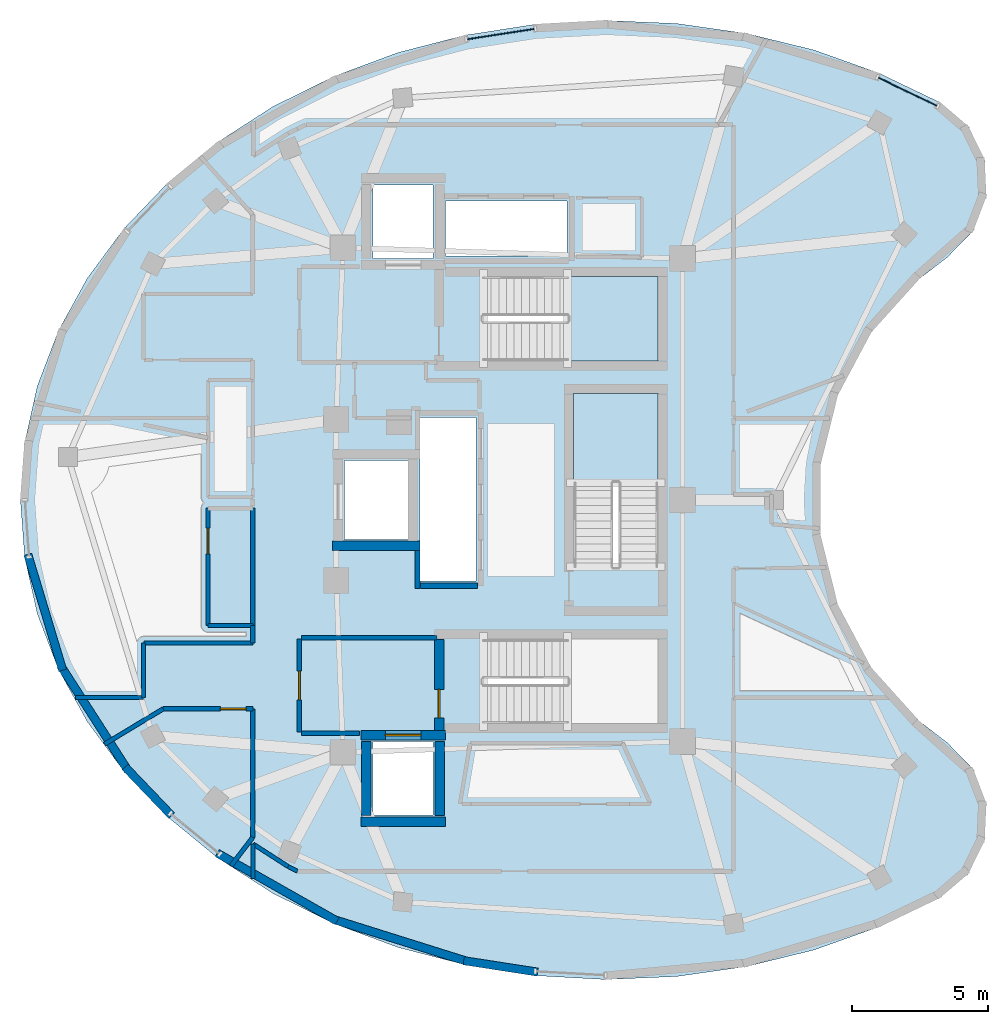
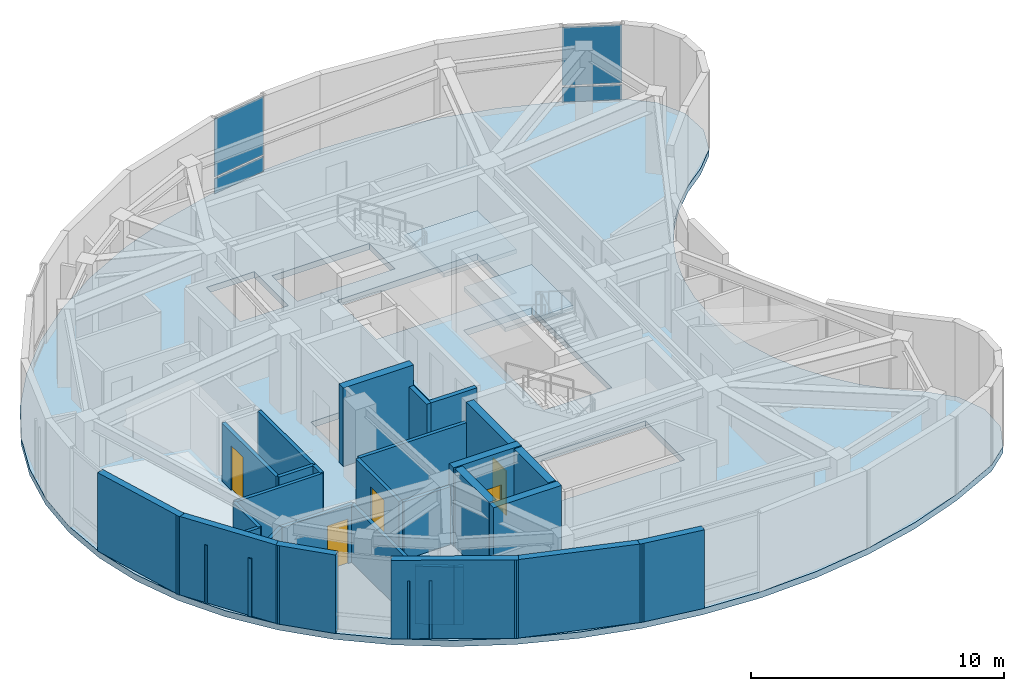
# One storey, part 3 of 8: 31 walls, 5 doors, 4 plates, 3 slabs, 5 openings, 4 elements without a shape of their own.
"""IFC4 building model written with IfcOpenShell, lengths in metres."""

from ifc_helpers import new_model, si_unit, direction, frame, frame_2d, origin, origin_2d, place, context, subcontext, project, spatial, polyline, rectangle, outline, extrude, material, layer, layer_set, type_object, element, fill, aggregate, save


model = new_model("IFC4")

# Units and contexts
model_context = context("Model", 3, precision=1e-05, world=origin(), true_north=direction((0.0, 1.0)))
body_context = subcontext(model_context, "Body", "Model", "MODEL_VIEW")
ifc_project = project(units=[si_unit("LENGTHUNIT", "METRE"), si_unit("AREAUNIT", "SQUARE_METRE"), si_unit("VOLUMEUNIT", "CUBIC_METRE"), si_unit("PLANEANGLEUNIT", "RADIAN"), si_unit("MASSUNIT", "GRAM", prefix="KILO")], contexts=[model_context])

# Site, building, storey
site_placement = place(None, origin())
site = spatial("IfcSite", under=ifc_project, at=site_placement, CompositionType="ELEMENT")
building_placement = place(site_placement, origin())
building = spatial("IfcBuilding", under=site, at=building_placement, Name="Korentha Bioscience Tower", CompositionType="ELEMENT")
storey_placement = place(building_placement, frame((0.0, 0.0, 318.60009765625)))
storey = spatial("IfcBuildingStorey", under=building, at=storey_placement, Name="L73", CompositionType="ELEMENT", Elevation=318.60009765625)

# Curtain wall, plates
ifc_material_1 = material(Name="Structural Silicone Glazed Aluminium", Category="aluminium")
ifc_layer_1 = layer(ifc_material_1, 0.219970703125, Name="Structural Silicone Glazed Aluminium")
ifc_layer_set_1 = layer_set([ifc_layer_1], Name="Structural Silicone Glazed Aluminium (CW-O1)")
curtain_wall_type = type_object("IfcCurtainWallType", Name="Sky Observatory Acoustic Curtain Wall CW-O1", PredefinedType="USERDEFINED", material=ifc_layer_set_1)
curtain_wall_1_placement = place(storey_placement, origin())
curtain_wall_1 = element("IfcCurtainWall", 1, at=curtain_wall_1_placement, inside=storey, type_object=curtain_wall_type, Name="L73 Curtain Wall 01", ObjectType="UNITISED", PredefinedType="USERDEFINED")
ifc_material_2 = material(Name="Triple-Glazed Low-E Insulated Glass", Category="glass")
ifc_layer_2 = layer(ifc_material_2, 0.0439453125, Name="Triple-Glazed Low-E Insulated Glass")
ifc_layer_set_2 = layer_set([ifc_layer_2], Name="Triple-Glazed Low-E Insulated Glass (GL-44)")
plate_type = type_object("IfcPlateType", Name="Glazed Panel 44mm", PredefinedType="CURTAIN_PANEL", material=ifc_layer_set_2)
plate_1_placement = place(storey_placement, frame((45.800048828125, 41.968994140625, 0.08984375), z_axis=(0.0, 0.0, 1.0), x_axis=(-0.901523666525, 0.432729798714, 0.0)))
plate_1 = element("IfcPlate", 2, at=plate_1_placement, type_object=plate_type, Name="CW-L73-01 Bay 1 Glazed Panel 1", PredefinedType="CURTAIN_PANEL", context=body_context, shape_type="SweptSolid", body=[
    extrude(rectangle(XDim=2.382080078125, YDim=0.0439453125, at=origin_2d()), origin(), (0.0, 0.0, 1.0), 0.715087890625),
])
plate_2_placement = place(storey_placement, frame((45.800048828125, 41.968994140625, 0.89501953125), z_axis=(0.0, 0.0, 1.0), x_axis=(-0.901523666525, 0.432729798714, 0.0)))
plate_2 = element("IfcPlate", 3, at=plate_2_placement, type_object=plate_type, Name="CW-L73-01 Bay 1 Glazed Panel 2", PredefinedType="CURTAIN_PANEL", context=body_context, shape_type="SweptSolid", body=[
    extrude(rectangle(XDim=2.382080078125, YDim=0.0439453125, at=origin_2d()), origin(), (0.0, 0.0, 1.0), 2.804931640625),
])
aggregate(curtain_wall_1, [plate_1, plate_2])

curtain_wall_2_placement = place(storey_placement, origin())
curtain_wall_2 = element("IfcCurtainWall", 4, at=curtain_wall_2_placement, inside=storey, type_object=curtain_wall_type, Name="L73 Curtain Wall 07", ObjectType="UNITISED", PredefinedType="USERDEFINED")
plate_3_placement = place(storey_placement, frame((30.884033203125, 44.08251953125, 0.08984375), z_axis=(0.0, 0.0, 1.0), x_axis=(-0.988233672414, -0.152951654805, 0.0)))
plate_3 = element("IfcPlate", 5, at=plate_3_placement, type_object=plate_type, Name="CW-L73-07 Bay 1 Glazed Panel 1", PredefinedType="CURTAIN_PANEL", context=body_context, shape_type="SweptSolid", body=[
    extrude(rectangle(XDim=2.48291015625, YDim=0.0439453125, at=origin_2d()), origin(), (0.0, 0.0, 1.0), 0.715087890625),
])
plate_4_placement = place(storey_placement, frame((30.884033203125, 44.08251953125, 0.89501953125), z_axis=(0.0, 0.0, 1.0), x_axis=(-0.988233672414, -0.152951654805, 0.0)))
plate_4 = element("IfcPlate", 6, at=plate_4_placement, type_object=plate_type, Name="CW-L73-07 Bay 1 Glazed Panel 2", PredefinedType="CURTAIN_PANEL", context=body_context, shape_type="SweptSolid", body=[
    extrude(rectangle(XDim=2.48291015625, YDim=0.0439453125, at=origin_2d()), origin(), (0.0, 0.0, 1.0), 2.804931640625),
])
aggregate(curtain_wall_2, [plate_3, plate_4])

# Slab
ifc_material_3 = material(Name="Concrete C50", Category="concrete")
ifc_layer_3 = layer(ifc_material_3, 0.300048828125, Name="Concrete C50")
ifc_layer_set_3 = layer_set([ifc_layer_3], Name="Concrete C50 (SL-L300)")
slab_type_1 = type_object("IfcSlabType", Name="Laboratory Vibration-Controlled Slab 300", PredefinedType="FLOOR", material=ifc_layer_set_3)
slab_1_placement = place(storey_placement, frame((0.0, 0.0, -0.300048828125)))
element("IfcSlab", 7, at=slab_1_placement, inside=storey, type_object=slab_type_1, Name="L73 Tower Structural Floor Slab", PredefinedType="FLOOR", context=body_context, shape_type="SweptSolid", body=[
    extrude(outline(polyline([(46.988037109375, 41.576171875), (44.75048828125, 42.650146484375), (42.37060546875, 43.498291015625), (39.8828125, 44.108154296875), (37.322998046875, 44.470947265625), (34.728271484375, 44.58154296875), (32.135986328125, 44.438232421875), (29.583251953125, 44.043212890625), (27.107421875, 43.402099609375), (24.744140625, 42.52392578125), (22.52734375, 41.421875), (20.4892578125, 40.111572265625), (18.658935546875, 38.61181640625), (17.063232421875, 36.944580078125), (15.72509765625, 35.133544921875), (14.66357421875, 33.205078125), (13.894287109375, 31.187255859375), (13.427978515625, 29.10888671875), (13.27197265625, 27.0), (13.427978515625, 24.89111328125), (13.894287109375, 22.812744140625), (14.66357421875, 20.794921875), (15.72509765625, 18.866455078125), (17.063232421875, 17.055419921875), (18.658935546875, 15.38818359375), (20.4892578125, 13.888427734375), (22.52734375, 12.578125), (24.744140625, 11.47607421875), (27.107421875, 10.597900390625), (29.583251953125, 9.956787109375), (32.135986328125, 9.561767578125), (34.728271484375, 9.41845703125), (37.322998046875, 9.529052734375), (39.8828125, 9.891845703125), (42.37060546875, 10.501708984375), (44.75048828125, 11.349853515625), (46.988037109375, 12.423828125), (48.018310546875, 13.302734375), (48.61376953125, 14.519287109375), (48.67578125, 15.8720703125), (48.1943359375, 17.137939453125), (47.2490234375, 18.107666015625), (46.2099609375, 18.90478515625), (45.27587890625, 19.822998046875), (44.460693359375, 20.847900390625), (43.7763671875, 21.96435546875), (43.2333984375, 23.156005859375), (42.839599609375, 24.405029296875), (42.600830078125, 25.69287109375), (42.52099609375, 27.0), (42.600830078125, 28.30712890625), (42.839599609375, 29.594970703125), (43.2333984375, 30.843994140625), (43.7763671875, 32.03564453125), (44.460693359375, 33.152099609375), (45.27587890625, 34.177001953125), (46.2099609375, 35.09521484375), (47.2490234375, 35.892333984375), (48.1943359375, 36.862060546875), (48.67578125, 38.1279296875), (48.61376953125, 39.480712890625), (48.018310546875, 40.697265625), (46.988037109375, 41.576171875)]), holes=[polyline([(30.25, 32.10009765625), (36.64990234375, 32.10009765625), (36.64990234375, 35.199951171875), (30.25, 35.199951171875), (30.25, 32.10009765625)]), polyline([(30.25, 18.800048828125), (36.64990234375, 18.800048828125), (36.64990234375, 21.89990234375), (30.25, 21.89990234375), (30.25, 18.800048828125)]), polyline([(36.64990234375, 24.550048828125), (36.64990234375, 30.89990234375), (33.550048828125, 30.89990234375), (33.550048828125, 24.550048828125), (36.64990234375, 24.550048828125)]), polyline([(27.929931640625, 24.030029296875), (29.969970703125, 24.030029296875), (29.969970703125, 30.02001953125), (27.929931640625, 30.02001953125), (27.929931640625, 24.030029296875)]), polyline([(28.860107421875, 35.93994140625), (33.31005859375, 35.93994140625), (33.31005859375, 37.9599609375), (28.860107421875, 37.9599609375), (28.860107421875, 35.93994140625)]), polyline([(26.199951171875, 15.449951171875), (28.39990234375, 15.449951171875), (28.39990234375, 18.14990234375), (26.199951171875, 18.14990234375), (26.199951171875, 15.449951171875)]), polyline([(26.199951171875, 35.85009765625), (28.39990234375, 35.85009765625), (28.39990234375, 38.550048828125), (26.199951171875, 38.550048828125), (26.199951171875, 35.85009765625)]), polyline([(25.14990234375, 25.550048828125), (27.550048828125, 25.550048828125), (27.550048828125, 28.449951171875), (25.14990234375, 28.449951171875), (25.14990234375, 25.550048828125)])]), origin(), (0.0, 0.0, 1.0), 0.300048828125),
])

# Stair, slab
ifc_material_4 = material(Name="Precast Concrete C50", Category="concrete")
stair_type = type_object("IfcStairType", Name="Core Exit Dog-Leg Stair 1450", PredefinedType="HALF_TURN_STAIR", material=ifc_material_4)
stair_1_placement = place(storey_placement, origin())
stair_1 = element("IfcStair", 8, at=stair_1_placement, inside=storey, type_object=stair_type, Name="L73 Tower North Pressurized Exit Stair ST-1", PredefinedType="HALF_TURN_STAIR")
ifc_layer_4 = layer(ifc_material_3, 0.199951171875, Name="Concrete C50")
ifc_layer_set_4 = layer_set([ifc_layer_4], Name="Concrete C50 (SL-LND)")
slab_type_2 = type_object("IfcSlabType", Name="Landing Slab 200", PredefinedType="LANDING", material=ifc_layer_set_4)
slab_2_placement = place(storey_placement, frame((0.0, 0.0, 1.89990234375)))
slab_2 = element("IfcSlab", 9, at=slab_2_placement, type_object=slab_type_2, Name="ST-1 landing 1", PredefinedType="LANDING", context=body_context, shape_type="SweptSolid", body=[
    extrude(outline(polyline([(33.330078125, 32.10009765625), (36.64990234375, 32.10009765625), (36.64990234375, 35.199951171875), (33.330078125, 35.199951171875), (33.330078125, 32.10009765625)])), origin(), (0.0, 0.0, 1.0), 0.199951171875),
])
aggregate(stair_1, [slab_2])

stair_2_placement = place(storey_placement, origin())
stair_2 = element("IfcStair", 10, at=stair_2_placement, inside=storey, type_object=stair_type, Name="L73 Tower Central Pressurized Exit Stair ST-3", PredefinedType="HALF_TURN_STAIR")
slab_3_placement = place(storey_placement, frame((0.0, 0.0, 1.89990234375)))
slab_3 = element("IfcSlab", 11, at=slab_3_placement, type_object=slab_type_2, Name="ST-3 landing 1", PredefinedType="LANDING", context=body_context, shape_type="SweptSolid", body=[
    extrude(outline(polyline([(36.64990234375, 27.6298828125), (36.64990234375, 30.89990234375), (33.550048828125, 30.89990234375), (33.550048828125, 27.6298828125), (36.64990234375, 27.6298828125)])), origin(), (0.0, 0.0, 1.0), 0.199951171875),
])
aggregate(stair_2, [slab_3])

# Walls
ifc_material_5 = material(Name="Double-Stud Acoustic Gypsum", Category="gypsum")
ifc_layer_5 = layer(ifc_material_5, 0.14990234375, Name="Double-Stud Acoustic Gypsum")
ifc_layer_set_5 = layer_set([ifc_layer_5], Name="Double-Stud Acoustic Gypsum (IW-L150)")
wall_type_1 = type_object("IfcWallType", Name="Acoustic Laboratory Partition Wall 150", PredefinedType="PARTITIONING", material=ifc_layer_set_5)
wall_1_placement = place(storey_placement, frame((21.802001953125, 13.119384765625, 0.0), z_axis=(0.0, 0.0, 1.0), x_axis=(0.0, 1.0, 0.0)))
element("IfcWall", 12, at=wall_1_placement, inside=storey, type_object=wall_type_1, Name="L73 Interior Partition 030", PredefinedType="PARTITIONING", context=body_context, shape_type="SweptSolid", body=[
    extrude(rectangle(XDim=1.2685546875, YDim=0.14990234375, at=frame_2d((0.63427734375, 0.0))), origin(), (0.0, 0.0, 1.0), 2.7998046875),
])
wall_2_placement = place(storey_placement, frame((21.802001953125, 14.387939453125, 0.0), z_axis=(0.0, 0.0, 1.0), x_axis=(0.841116099264, -0.540854608522, 0.0)))
element("IfcWall", 13, at=wall_2_placement, inside=storey, type_object=wall_type_1, Name="L73 Interior Partition 031", PredefinedType="PARTITIONING", context=body_context, shape_type="SweptSolid", body=[
    extrude(rectangle(XDim=1.526123046875, YDim=0.14990234375, at=frame_2d((0.76318359375, 0.0))), origin(), (0.0, 0.0, 1.0), 2.7998046875),
])
wall_3_placement = place(storey_placement, frame((23.086669921875, 13.56201171875, 0.0), z_axis=(0.0, 0.0, 1.0), x_axis=(0.895442423971, -0.445177341463, 0.0)))
element("IfcWall", 14, at=wall_3_placement, inside=storey, type_object=wall_type_1, Name="L73 Interior Partition 032", PredefinedType="PARTITIONING", context=body_context, shape_type="SweptSolid", body=[
    extrude(rectangle(XDim=0.3837890625, YDim=0.14990234375, at=frame_2d((0.19189453125, 0.0))), origin(), (0.0, 0.0, 1.0), 2.7998046875),
])
wall_4_placement = place(storey_placement, frame((21.7900390625, 22.389892578125, 0.0), z_axis=(0.0, 0.0, 1.0), x_axis=(0.0, -1.0, 0.0)))
element("IfcWall", 15, at=wall_4_placement, inside=storey, type_object=wall_type_1, Name="L73 Interior Partition 065", PredefinedType="PARTITIONING", context=body_context, shape_type="SweptSolid", body=[
    extrude(rectangle(XDim=0.6298828125, YDim=0.14990234375, at=frame_2d((0.31494140625, 0.0))), origin(), (0.0, 0.0, 1.0), 2.7998046875),
])
wall_5_placement = place(storey_placement, frame((21.7900390625, 21.760009765625, 0.0), z_axis=(0.0, 0.0, 1.0), x_axis=(-1.0, 0.0, 0.0)))
element("IfcWall", 16, at=wall_5_placement, inside=storey, type_object=wall_type_1, Name="L73 Interior Partition 066", PredefinedType="PARTITIONING", context=body_context, shape_type="SweptSolid", body=[
    extrude(rectangle(XDim=3.989990234375, YDim=0.14990234375, at=frame_2d((1.9951171875, 0.0))), origin(), (0.0, 0.0, 1.0), 2.7998046875),
])
wall_6_placement = place(storey_placement, frame((17.7900390625, 21.75, 0.0), z_axis=(0.0, 0.0, 1.0), x_axis=(0.0, -1.0, 0.0)))
element("IfcWall", 17, at=wall_6_placement, inside=storey, type_object=wall_type_1, Name="L73 Interior Partition 067", PredefinedType="PARTITIONING", context=body_context, shape_type="SweptSolid", body=[
    extrude(rectangle(XDim=1.998046875, YDim=0.14990234375, at=frame_2d((0.9990234375, 0.0))), origin(), (0.0, 0.0, 1.0), 2.7998046875),
])
wall_7_placement = place(storey_placement, frame((17.7900390625, 19.751953125, 0.0), z_axis=(0.0, 0.0, 1.0), x_axis=(-1.0, 0.0, 0.0)))
element("IfcWall", 18, at=wall_7_placement, inside=storey, type_object=wall_type_1, Name="L73 Interior Partition 068", PredefinedType="PARTITIONING", context=body_context, shape_type="SweptSolid", body=[
    extrude(rectangle(XDim=2.491455078125, YDim=0.14990234375, at=frame_2d((1.24560546875, 0.0))), origin(), (0.0, 0.0, 1.0), 2.7998046875),
])

# Wall, opening, door
ifc_material_6 = material(Name="Gypsum-Clad Steel Stud", Category="steel")
ifc_layer_6 = layer(ifc_material_6, 0.159912109375, Name="Gypsum-Clad Steel Stud")
ifc_layer_set_6 = layer_set([ifc_layer_6], Name="Gypsum-Clad Steel Stud (IW-C160)")
wall_type_2 = type_object("IfcWallType", Name="Fire-Rated Corridor Partition Wall 160", PredefinedType="PARTITIONING", material=ifc_layer_set_6)
wall_8_placement = place(storey_placement, frame((23.5, 18.5, 0.0), z_axis=(0.0, 0.0, 1.0), x_axis=(0.0, 1.0, 0.0)))
wall_8 = element("IfcWall", 19, at=wall_8_placement, inside=storey, type_object=wall_type_2, Name="L73 FFLS-CW Rated Enclosure Wall", PredefinedType="PARTITIONING", context=body_context, shape_type="SweptSolid", body=[
    extrude(rectangle(XDim=3.39990234375, YDim=0.159912109375, at=frame_2d((1.699951171875, 0.0))), origin(), (0.0, 0.0, 1.0), 2.7998046875),
])
opening_1_placement = place(wall_8_placement, frame((1.175048828125, 0.0, 0.0)))
opening_1 = element("IfcOpeningElement", 20, at=opening_1_placement, cuts=wall_8, Name="Opening FD-90R", PredefinedType="OPENING", context=body_context, shape_type="SweptSolid", body=[
    extrude(rectangle(XDim=1.050048828125, YDim=2.14990234375, at=frame_2d((0.52490234375, 1.074951171875))), frame((0.0, 0.0947265625, 0.0), z_axis=(0.0, -1.0, 0.0), x_axis=(1.0, 0.0, 0.0)), (0.0, 0.0, 1.0), 0.189697265625),
])
ifc_material_7 = material(Name="Powder-Coated Fire-Rated Steel", Category="steel")
door_type_1 = type_object("IfcDoorType", Name="Stairwell Fire Exit Door 1050x2150 Right", OperationType="SINGLE_SWING_RIGHT", PredefinedType="DOOR", material=ifc_material_7)
door_1_placement = place(opening_1_placement, origin())
door_1 = element("IfcDoor", 21, at=door_1_placement, inside=storey, type_object=door_type_1, Name="L73 South Firefighting Lobby Door", OperationType="SINGLE_SWING_RIGHT", OverallHeight=2.14990234375, OverallWidth=1.050048828125, PredefinedType="DOOR", context=body_context, shape_type="SweptSolid", body=[
    extrude(rectangle(XDim=1.050048828125, YDim=2.14990234375, at=frame_2d((0.52490234375, 1.074951171875))), frame((0.0, 0.02490234375, 0.0), z_axis=(0.0, -1.0, 0.0), x_axis=(1.0, 0.0, 0.0)), (0.0, 0.0, 1.0), 0.050048828125),
])
fill(opening_1, door_1)

# Walls
wall_9_placement = place(storey_placement, frame((23.580078125, 21.949951171875, 0.0), z_axis=(0.0, 0.0, 1.0), x_axis=(1.0, 0.0, 0.0)))
element("IfcWall", 22, at=wall_9_placement, inside=storey, type_object=wall_type_2, Name="L73 Firefighting Lobby Return Wall FFLS-N", PredefinedType="PARTITIONING", context=body_context, shape_type="SweptSolid", body=[
    extrude(rectangle(XDim=4.969970703125, YDim=0.159912109375, at=frame_2d((2.48486328125, 0.0))), origin(), (0.0, 0.0, 1.0), 2.7998046875),
])
wall_10_placement = place(storey_placement, frame((23.580078125, 18.449951171875, 0.0), z_axis=(0.0, 0.0, 1.0), x_axis=(1.0, 0.0, 0.0)))
element("IfcWall", 23, at=wall_10_placement, inside=storey, type_object=wall_type_2, Name="L73 Firefighting Lobby Return Wall FFLS-S", PredefinedType="PARTITIONING", context=body_context, shape_type="SweptSolid", body=[
    extrude(rectangle(XDim=2.119873046875, YDim=0.159912109375, at=frame_2d((1.06005859375, 0.0))), origin(), (0.0, 0.0, 1.0), 2.7998046875),
])

# Wall, opening, door
wall_11_placement = place(storey_placement, frame((20.14990234375, 22.39990234375, 0.0), z_axis=(0.0, 0.0, 1.0), x_axis=(0.0, 1.0, 0.0)))
wall_11 = element("IfcWall", 24, at=wall_11_placement, inside=storey, type_object=wall_type_2, Name="L73 Reclaimed Bank-2 Electrical Switchgear Store Entrance Wall", PredefinedType="PARTITIONING", context=body_context, shape_type="SweptSolid", body=[
    extrude(rectangle(XDim=4.300048828125, YDim=0.159912109375, at=frame_2d((2.14990234375, 0.0))), origin(), (0.0, 0.0, 1.0), 2.7998046875),
])
opening_2_placement = place(wall_11_placement, frame((2.6201171875, 0.0, 0.0)))
opening_2 = element("IfcOpeningElement", 25, at=opening_2_placement, cuts=wall_11, Name="Opening ID-10L", PredefinedType="OPENING", context=body_context, shape_type="SweptSolid", body=[
    extrude(rectangle(XDim=0.949951171875, YDim=2.14990234375, at=frame_2d((0.47509765625, 1.074951171875))), frame((0.0, 0.0947265625, 0.0), z_axis=(0.0, -1.0, 0.0), x_axis=(1.0, 0.0, 0.0)), (0.0, 0.0, 1.0), 0.189697265625),
])
ifc_material_8 = material(Name="Phenolic Laminate Timber Core", Category="wood")
door_type_2 = type_object("IfcDoorType", Name="Laboratory Single Leaf Door 950x2150 Left", OperationType="SINGLE_SWING_LEFT", PredefinedType="DOOR", material=ifc_material_8)
door_2_placement = place(opening_2_placement, origin())
door_2 = element("IfcDoor", 26, at=door_2_placement, inside=storey, type_object=door_type_2, Name="L73 Reclaimed Bank-2 Electrical Switchgear Store Door", OperationType="SINGLE_SWING_LEFT", OverallHeight=2.14990234375, OverallWidth=0.949951171875, PredefinedType="DOOR", context=body_context, shape_type="SweptSolid", body=[
    extrude(rectangle(XDim=0.949951171875, YDim=2.14990234375, at=frame_2d((0.47509765625, 1.074951171875))), frame((0.0, 0.02490234375, 0.0), z_axis=(0.0, -1.0, 0.0), x_axis=(1.0, 0.0, 0.0)), (0.0, 0.0, 1.0), 0.050048828125),
])
fill(opening_2, door_2)

wall_12_placement = place(storey_placement, frame((18.505126953125, 19.340087890625, 0.0), z_axis=(0.0, 0.0, 1.0), x_axis=(1.0, 0.0, 0.0)))
wall_12 = element("IfcWall", 27, at=wall_12_placement, inside=storey, type_object=wall_type_2, Name="L73 Biospecimen Archive Store 01 Entrance Wall", PredefinedType="PARTITIONING", context=body_context, shape_type="SweptSolid", body=[
    extrude(rectangle(XDim=3.284912109375, YDim=0.159912109375, at=frame_2d((1.642578125, 0.0))), origin(), (0.0, 0.0, 1.0), 2.7998046875),
])
opening_3_placement = place(wall_12_placement, frame((2.0947265625, 0.0, 0.0)))
opening_3 = element("IfcOpeningElement", 28, at=opening_3_placement, cuts=wall_12, Name="Opening ID-10L", PredefinedType="OPENING", context=body_context, shape_type="SweptSolid", body=[
    extrude(rectangle(XDim=0.949951171875, YDim=2.14990234375, at=frame_2d((0.47509765625, 1.074951171875))), frame((0.0, 0.0947265625, 0.0), z_axis=(0.0, -1.0, 0.0), x_axis=(1.0, 0.0, 0.0)), (0.0, 0.0, 1.0), 0.189697265625),
])
door_3_placement = place(opening_3_placement, origin())
door_3 = element("IfcDoor", 29, at=door_3_placement, inside=storey, type_object=door_type_2, Name="L73 Biospecimen Archive Store 01 Door", OperationType="SINGLE_SWING_LEFT", OverallHeight=2.14990234375, OverallWidth=0.949951171875, PredefinedType="DOOR", context=body_context, shape_type="SweptSolid", body=[
    extrude(rectangle(XDim=0.949951171875, YDim=2.14990234375, at=frame_2d((0.47509765625, 1.074951171875))), frame((0.0, 0.02490234375, 0.0), z_axis=(0.0, -1.0, 0.0), x_axis=(1.0, 0.0, 0.0)), (0.0, 0.0, 1.0), 0.050048828125),
])
fill(opening_3, door_3)

# Walls
wall_13_placement = place(storey_placement, frame((21.7900390625, 26.699951171875, 0.0), z_axis=(0.0, 0.0, 1.0), x_axis=(0.0, -1.0, 0.0)))
element("IfcWall", 30, at=wall_13_placement, inside=storey, type_object=wall_type_2, Name="L73 Interior Partition 016", PredefinedType="PARTITIONING", context=body_context, shape_type="SweptSolid", body=[
    extrude(rectangle(XDim=4.300048828125, YDim=0.159912109375, at=frame_2d((2.14990234375, 0.0))), origin(), (0.0, 0.0, 1.0), 2.7998046875),
])
wall_14_placement = place(storey_placement, frame((21.7900390625, 22.39990234375, 0.0), z_axis=(0.0, 0.0, 1.0), x_axis=(-1.0, 0.0, 0.0)))
element("IfcWall", 31, at=wall_14_placement, inside=storey, type_object=wall_type_2, Name="L73 Interior Partition 017", PredefinedType="PARTITIONING", context=body_context, shape_type="SweptSolid", body=[
    extrude(rectangle(XDim=1.64013671875, YDim=0.159912109375, at=frame_2d((0.820068359375, 0.0))), origin(), (0.0, 0.0, 1.0), 2.7998046875),
])
wall_15_placement = place(storey_placement, frame((16.355712890625, 18.048583984375, 0.0), z_axis=(0.0, 0.0, 1.0), x_axis=(0.857166307375, 0.51503972808, 0.0)))
element("IfcWall", 32, at=wall_15_placement, inside=storey, type_object=wall_type_2, Name="L73 Interior Partition 022", PredefinedType="PARTITIONING", context=body_context, shape_type="SweptSolid", body=[
    extrude(rectangle(XDim=2.507568359375, YDim=0.159912109375, at=frame_2d((1.25390625, 0.0))), origin(), (0.0, 0.0, 1.0), 2.7998046875),
])
wall_16_placement = place(storey_placement, frame((21.7900390625, 19.340087890625, 0.0), z_axis=(0.0, 0.0, 1.0), x_axis=(0.0, -1.0, 0.0)))
element("IfcWall", 33, at=wall_16_placement, inside=storey, type_object=wall_type_2, Name="L73 Interior Partition 023", PredefinedType="PARTITIONING", context=body_context, shape_type="SweptSolid", body=[
    extrude(rectangle(XDim=4.70947265625, YDim=0.159912109375, at=frame_2d((2.354736328125, 0.0))), origin(), (0.0, 0.0, 1.0), 2.7998046875),
])
wall_17_placement = place(storey_placement, frame((21.7900390625, 14.630615234375, 0.0), z_axis=(0.0, 0.0, 1.0), x_axis=(-0.607422460056, -0.794378974432, 0.0)))
element("IfcWall", 34, at=wall_17_placement, inside=storey, type_object=wall_type_2, Name="L73 Interior Partition 024", PredefinedType="PARTITIONING", context=body_context, shape_type="SweptSolid", body=[
    extrude(rectangle(XDim=1.31103515625, YDim=0.159912109375, at=frame_2d((0.655517578125, 0.0))), origin(), (0.0, 0.0, 1.0), 2.7998046875),
])
ifc_material_9 = material(Name="Honed Limestone Precast Concrete C40", Category="masonry")
ifc_layer_7 = layer(ifc_material_9, 0.300048828125, Name="Honed Limestone Precast Concrete C40")
ifc_layer_set_7 = layer_set([ifc_layer_7], Name="Honed Limestone Precast Concrete C40 (EW-ST300)")
wall_type_3 = type_object("IfcWallType", Name="Honed Limestone Cavity Spandrel Wall 300", PredefinedType="STANDARD", material=ifc_layer_set_7)
wall_18_placement = place(storey_placement, frame((13.5390625, 25.008056640625, 0.0), z_axis=(0.0, 0.0, 1.0), x_axis=(0.288720187326, -0.95741352269, 0.0)))
element("IfcWall", 35, at=wall_18_placement, inside=storey, type_object=wall_type_3, Name="L73 Limestone Perimeter Closure Wall 20", PredefinedType="STANDARD", context=body_context, shape_type="SweptSolid", body=[
    extrude(rectangle(XDim=4.4384765625, YDim=0.300048828125, at=frame_2d((2.21923828125, 0.0))), origin(), (0.0, 0.0, 1.0), 3.789794921875),
])
wall_19_placement = place(storey_placement, frame((14.738037109375, 20.937744140625, 0.0), z_axis=(0.0, 0.0, 1.0), x_axis=(0.540087262842, -0.841609023547, 0.0)))
element("IfcWall", 36, at=wall_19_placement, inside=storey, type_object=wall_type_3, Name="L73 Limestone Perimeter Closure Wall 22", PredefinedType="STANDARD", context=body_context, shape_type="SweptSolid", body=[
    extrude(rectangle(XDim=4.60302734375, YDim=0.300048828125, at=frame_2d((2.301513671875, 0.0))), origin(), (0.0, 0.0, 1.0), 3.789794921875),
])
wall_20_placement = place(storey_placement, frame((17.10888671875, 17.210205078125, 0.0), z_axis=(0.0, 0.0, 1.0), x_axis=(0.691456191778, -0.722418393213, 0.0)))
element("IfcWall", 37, at=wall_20_placement, inside=storey, type_object=wall_type_3, Name="L73 Limestone Perimeter Closure Wall 24", PredefinedType="STANDARD", context=body_context, shape_type="SweptSolid", body=[
    extrude(rectangle(XDim=2.468017578125, YDim=0.300048828125, at=frame_2d((1.23388671875, 0.0))), origin(), (0.0, 0.0, 1.0), 3.789794921875),
])
wall_21_placement = place(storey_placement, frame((20.48876953125, 14.0498046875, 0.0), z_axis=(0.0, 0.0, 1.0), x_axis=(0.869895003659, -0.493236943679, 0.0)))
element("IfcWall", 38, at=wall_21_placement, inside=storey, type_object=wall_type_3, Name="L73 Limestone Perimeter Closure Wall 26", PredefinedType="STANDARD", context=body_context, shape_type="SweptSolid", body=[
    extrude(rectangle(XDim=5.05126953125, YDim=0.300048828125, at=frame_2d((2.525634765625, 0.0))), origin(), (0.0, 0.0, 1.0), 3.789794921875),
])
wall_22_placement = place(storey_placement, frame((24.709716796875, 11.633544921875, 0.0), z_axis=(0.0, 0.0, 1.0), x_axis=(0.954089764454, -0.299520819584, 0.0)))
element("IfcWall", 39, at=wall_22_placement, inside=storey, type_object=wall_type_3, Name="L73 Limestone Perimeter Closure Wall 28", PredefinedType="STANDARD", context=body_context, shape_type="SweptSolid", body=[
    extrude(rectangle(XDim=5.232177734375, YDim=0.300048828125, at=frame_2d((2.6162109375, 0.0))), origin(), (0.0, 0.0, 1.0), 3.789794921875),
])
wall_23_placement = place(storey_placement, frame((29.525634765625, 10.107421875, 0.0), z_axis=(0.0, 0.0, 1.0), x_axis=(0.988239617777, -0.152913236363, 0.0)))
element("IfcWall", 40, at=wall_23_placement, inside=storey, type_object=wall_type_3, Name="L73 Limestone Perimeter Closure Wall 30", PredefinedType="STANDARD", context=body_context, shape_type="SweptSolid", body=[
    extrude(rectangle(XDim=2.742919921875, YDim=0.300048828125, at=frame_2d((1.37158203125, 0.0))), origin(), (0.0, 0.0, 1.0), 3.789794921875),
])
ifc_material_10 = material(Name="Autoclaved Aerated Concrete Block C25", Category="concrete")
ifc_layer_8 = layer(ifc_material_10, 0.199951171875, Name="Autoclaved Aerated Concrete Block C25")
ifc_layer_set_8 = layer_set([ifc_layer_8], Name="Autoclaved Aerated Concrete Block C25 (IW-S200)")
wall_type_4 = type_object("IfcWallType", Name="Lift and Riser Shaft Enclosure Wall 200", PredefinedType="PARTITIONING", material=ifc_layer_set_8)
wall_24_placement = place(storey_placement, frame((27.830078125, 23.75, 0.0), z_axis=(0.0, 0.0, 1.0), x_axis=(0.0, 1.0, 0.0)))
element("IfcWall", 41, at=wall_24_placement, inside=storey, type_object=wall_type_4, Name="L73 Lift Bank HIGH Shaft Wall -XS", PredefinedType="PARTITIONING", context=body_context, shape_type="SweptSolid", body=[
    extrude(rectangle(XDim=1.39111328125, YDim=0.199951171875, at=frame_2d((0.695556640625, 0.0))), origin(), (0.0, 0.0, 1.0), 2.7998046875),
])
wall_25_placement = place(storey_placement, frame((27.93408203125, 23.85009765625, 0.0), z_axis=(0.0, 0.0, 1.0), x_axis=(1.0, 0.0, 0.0)))
element("IfcWall", 42, at=wall_25_placement, inside=storey, type_object=wall_type_4, Name="L73 Lift Bank HIGH Shaft Wall -Y", PredefinedType="PARTITIONING", context=body_context, shape_type="SweptSolid", body=[
    extrude(rectangle(XDim=2.095947265625, YDim=0.199951171875, at=frame_2d((1.0478515625, 0.0))), origin(), (0.0, 0.0, 1.0), 2.7998046875),
])

# Wall, opening, door
ifc_layer_9 = layer(ifc_material_3, 0.35009765625, Name="Concrete C50")
ifc_layer_set_9 = layer_set([ifc_layer_9], Name="Concrete C50 (CW-C50)")
wall_type_5 = type_object("IfcWallType", Name="Upper Core Shear Wall 350", PredefinedType="SHEAR", material=ifc_layer_set_9)
wall_26_placement = place(storey_placement, frame((28.625, 18.556884765625, 0.0), z_axis=(0.0, 0.0, 1.0), x_axis=(0.0, 1.0, 0.0)))
wall_26 = element("IfcWall", 43, at=wall_26_placement, inside=storey, type_object=wall_type_5, Name="L73 Core Shear Wall ST2-W", PredefinedType="SHEAR", context=body_context, shape_type="SweptSolid", body=[
    extrude(rectangle(XDim=3.3330078125, YDim=0.35009765625, at=frame_2d((1.66650390625, 0.0))), origin(), (0.0, 0.0, 1.0), 3.789794921875),
])
opening_4_placement = place(wall_26_placement, frame((0.452880859375, 0.0, 0.0)))
opening_4 = element("IfcOpeningElement", 44, at=opening_4_placement, cuts=wall_26, Name="Opening FD-90R", PredefinedType="OPENING", context=body_context, shape_type="SweptSolid", body=[
    extrude(rectangle(XDim=1.050048828125, YDim=2.14990234375, at=frame_2d((0.52490234375, 1.074951171875))), frame((0.0, 0.18994140625, 0.0), z_axis=(0.0, -1.0, 0.0), x_axis=(1.0, 0.0, 0.0)), (0.0, 0.0, 1.0), 0.3798828125),
])
door_4_placement = place(opening_4_placement, origin())
door_4 = element("IfcDoor", 45, at=door_4_placement, inside=storey, type_object=door_type_1, Name="L73 ST-2 Fire Exit Stair Door", OperationType="SINGLE_SWING_RIGHT", OverallHeight=2.14990234375, OverallWidth=1.050048828125, PredefinedType="DOOR", context=body_context, shape_type="SweptSolid", body=[
    extrude(rectangle(XDim=1.050048828125, YDim=2.14990234375, at=frame_2d((0.52490234375, 1.074951171875))), frame((0.0, 0.02490234375, 0.0), z_axis=(0.0, -1.0, 0.0), x_axis=(1.0, 0.0, 0.0)), (0.0, 0.0, 1.0), 0.050048828125),
])
fill(opening_4, door_4)

# Wall
wall_27_placement = place(storey_placement, frame((25.75, 15.199951171875, 0.0), z_axis=(0.0, 0.0, 1.0), x_axis=(1.0, 0.0, 0.0)))
element("IfcWall", 46, at=wall_27_placement, inside=storey, type_object=wall_type_5, Name="L73 Core Shear Wall FFL1-S", PredefinedType="SHEAR", context=body_context, shape_type="SweptSolid", body=[
    extrude(rectangle(XDim=3.10009765625, YDim=0.35009765625, at=frame_2d((1.550048828125, 0.0))), origin(), (0.0, 0.0, 1.0), 3.789794921875),
])

# Wall, opening, door
wall_28_placement = place(storey_placement, frame((25.75, 18.3798828125, 0.0), z_axis=(0.0, 0.0, 1.0), x_axis=(1.0, 0.0, 0.0)))
wall_28 = element("IfcWall", 47, at=wall_28_placement, inside=storey, type_object=wall_type_5, Name="L73 Core Shear Wall FFL1-N", PredefinedType="SHEAR", context=body_context, shape_type="SweptSolid", body=[
    extrude(rectangle(XDim=3.10009765625, YDim=0.35009765625, at=frame_2d((1.550048828125, 0.0))), origin(), (0.0, 0.0, 1.0), 3.789794921875),
])
opening_5_placement = place(wall_28_placement, frame((0.89990234375, 0.0, 0.0)))
opening_5 = element("IfcOpeningElement", 48, at=opening_5_placement, cuts=wall_28, Name="Opening LD-13", PredefinedType="OPENING", context=body_context, shape_type="SweptSolid", body=[
    extrude(rectangle(XDim=1.300048828125, YDim=2.199951171875, at=frame_2d((0.64990234375, 1.10009765625))), frame((0.0, 0.18994140625, 0.0), z_axis=(0.0, -1.0, 0.0), x_axis=(1.0, 0.0, 0.0)), (0.0, 0.0, 1.0), 0.3798828125),
])
ifc_material_11 = material(Name="Brushed Stainless Steel 316", Category="steel")
door_type_3 = type_object("IfcDoorType", Name="Service & Firefighting Lift Landing Door 1300x2300", OperationType="DOUBLE_DOOR_SLIDING", PredefinedType="DOOR", material=ifc_material_11)
door_5_placement = place(opening_5_placement, origin())
door_5 = element("IfcDoor", 49, at=door_5_placement, inside=storey, type_object=door_type_3, Name="L73 FFL-1 Sliding Lift Landing Door", OperationType="DOUBLE_DOOR_SLIDING", OverallHeight=2.199951171875, OverallWidth=1.300048828125, PredefinedType="DOOR", context=body_context, shape_type="SweptSolid", body=[
    extrude(rectangle(XDim=1.300048828125, YDim=2.199951171875, at=frame_2d((0.64990234375, 1.10009765625))), frame((0.0, 0.02490234375, 0.0), z_axis=(0.0, -1.0, 0.0), x_axis=(1.0, 0.0, 0.0)), (0.0, 0.0, 1.0), 0.050048828125),
])
fill(opening_5, door_5)

# Walls
for number, where, z_axis, x_axis, name in (
    (50, (25.949951171875, 15.43994140625, 0.0), (0.0, 0.0, 1.0), (0.0, 1.0, 0.0), "L73 Core Shear Wall FFL1-W"),
    (51, (28.64990234375, 15.43994140625, 0.0), (0.0, 0.0, 1.0), (0.0, 1.0, 0.0), "L73 Core Shear Wall FFL1-E"),
):
    element("IfcWall", number, at=place(storey_placement, frame(where, z_axis=z_axis, x_axis=x_axis)), inside=storey, type_object=wall_type_5, Name=name, PredefinedType="SHEAR", context=body_context, shape_type="SweptSolid", body=[
        extrude(rectangle(XDim=2.699951171875, YDim=0.35009765625, at=frame_2d((1.35009765625, 0.0))), origin(), (0.0, 0.0, 1.0), 3.789794921875),
    ])
wall_29_placement = place(storey_placement, frame((24.719970703125, 25.320068359375, 0.0), z_axis=(0.0, 0.0, 1.0), x_axis=(1.0, 0.0, 0.0)))
element("IfcWall", 52, at=wall_29_placement, inside=storey, type_object=wall_type_5, Name="L73 Core Shear Wall SVL1-S", PredefinedType="SHEAR", context=body_context, shape_type="SweptSolid", body=[
    extrude(rectangle(XDim=3.2099609375, YDim=0.35009765625, at=frame_2d((1.60498046875, 0.0))), origin(), (0.0, 0.0, 1.0), 3.789794921875),
])

save(model, "model.ifc")
